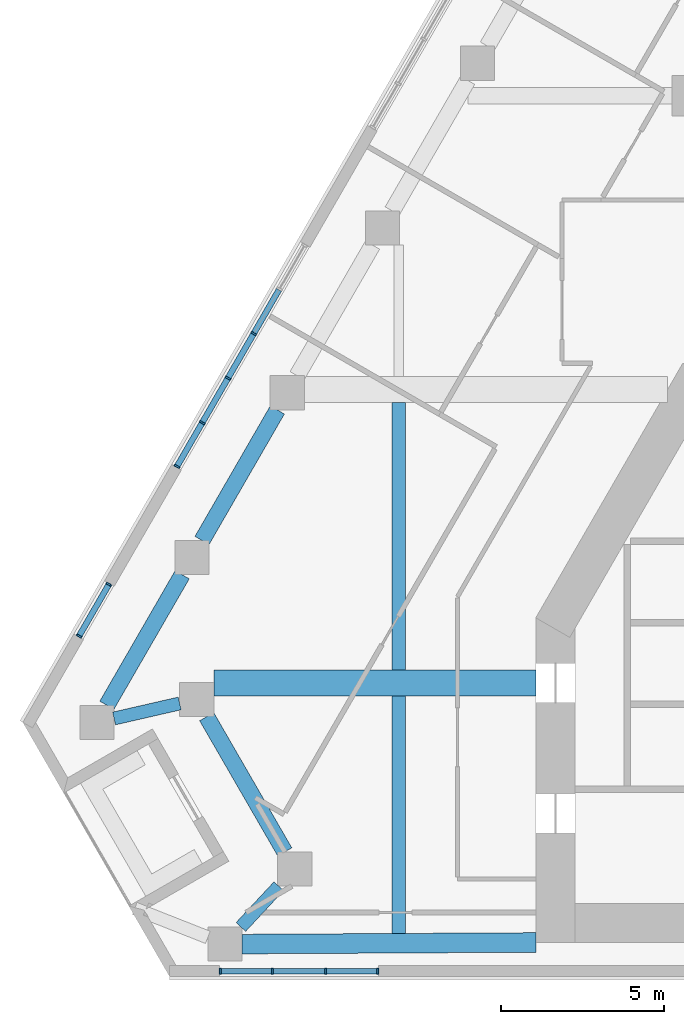
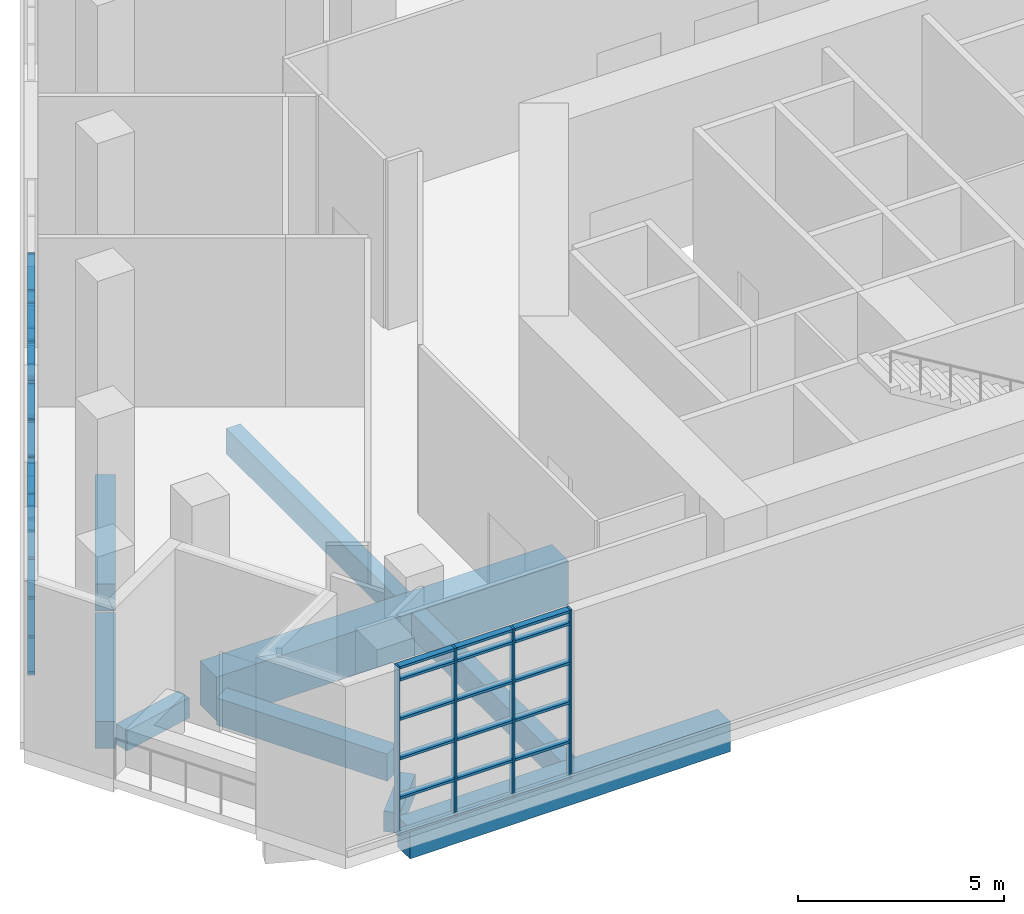
# One storey, part 2 of 18: 54 members, 9 beams, 3 elements without a shape of their own.
"""IFC4 building model written with IfcOpenShell, lengths in metres."""

from ifc_helpers import new_model, si_unit, direction, frame, origin, origin_2d, place, context, subcontext, project, spatial, rectangle, extrude, material, material_profile, profile_set, type_object, element, aggregate, save


model = new_model("IFC4")

# Units and contexts
model_context = context("Model", 3, precision=1e-05, world=origin(), true_north=direction((0.0, 1.0)))
body_context = subcontext(model_context, "Body", "Model", "MODEL_VIEW")
ifc_project = project(units=[si_unit("LENGTHUNIT", "METRE"), si_unit("AREAUNIT", "SQUARE_METRE"), si_unit("VOLUMEUNIT", "CUBIC_METRE"), si_unit("PLANEANGLEUNIT", "RADIAN"), si_unit("MASSUNIT", "GRAM", prefix="KILO")], contexts=[model_context])

# Site, building, storey
site_placement = place(None, origin())
site = spatial("IfcSite", under=ifc_project, at=site_placement, CompositionType="ELEMENT")
building_placement = place(site_placement, origin())
building = spatial("IfcBuilding", under=site, at=building_placement, Name="Fogline Exchange Tower", CompositionType="ELEMENT")
storey_placement = place(building_placement, frame((0.0, 0.0, 137.5)))
storey = spatial("IfcBuildingStorey", under=building, at=storey_placement, Name="L30", CompositionType="ELEMENT", Elevation=137.5)

# Beams
ifc_material_1 = material(Name="Concrete C40", Category="concrete")
ifc_material_profile_1 = material_profile(ifc_material_1, rectangle(XDim=0.800048828125, YDim=1.300048828125, at=origin_2d()), Name="RC 800x1300")
ifc_profile_set_1 = profile_set([ifc_material_profile_1], Name="Concrete C40")
beam_type_1 = type_object("IfcBeamType", Name="B04", PredefinedType="BEAM", material=ifc_profile_set_1)
beam_1_placement = place(storey_placement, frame((-23.66455078125, 9.0, -1.050048828125), z_axis=(1.0, 0.0, 0.0), x_axis=(0.0, 1.0, 0.0)))
element("IfcBeam", 1, at=beam_1_placement, inside=storey, type_object=beam_type_1, Name="GB001", PredefinedType="BEAM", context=body_context, shape_type="SweptSolid", body=[
    extrude(rectangle(XDim=0.800048828125, YDim=1.300048828125, at=origin_2d()), origin(), (0.0, 0.0, 1.0), 9.864501953125),
])
ifc_material_profile_2 = material_profile(ifc_material_1, rectangle(XDim=0.39990234375, YDim=0.75, at=origin_2d()), Name="RC 400x750")
ifc_profile_set_2 = profile_set([ifc_material_profile_2], Name="Concrete C40")
beam_type_2 = type_object("IfcBeamType", Name="B05", PredefinedType="BEAM", material=ifc_profile_set_2)
beam_2_placement = place(storey_placement, frame((-18.0, 1.327880859375, -0.77490234375), z_axis=(0.0, 1.0, 0.0), x_axis=(-1.0, 0.0, 0.0)))
element("IfcBeam", 2, at=beam_2_placement, inside=storey, type_object=beam_type_2, Name="SB001", PredefinedType="BEAM", context=body_context, shape_type="SweptSolid", body=[
    extrude(rectangle(XDim=0.39990234375, YDim=0.75, at=origin_2d()), origin(), (0.0, 0.0, 1.0), 7.272216796875),
])
beam_3_placement = place(storey_placement, frame((-18.0, 9.39990234375, -0.77490234375), z_axis=(0.0, 1.0, 0.0), x_axis=(-1.0, 0.0, 0.0)))
element("IfcBeam", 3, at=beam_3_placement, inside=storey, type_object=beam_type_2, Name="SB002", PredefinedType="BEAM", context=body_context, shape_type="SweptSolid", body=[
    extrude(rectangle(XDim=0.39990234375, YDim=0.75, at=origin_2d()), origin(), (0.0, 0.0, 1.0), 8.2001953125),
])
ifc_material_profile_3 = material_profile(ifc_material_1, rectangle(XDim=0.60009765625, YDim=0.89990234375, at=origin_2d()), Name="RC 600x900")
ifc_profile_set_3 = profile_set([ifc_material_profile_3], Name="Concrete C40")
beam_type_3 = type_object("IfcBeamType", Name="B09", PredefinedType="BEAM", material=ifc_profile_set_3)
beam_4_placement = place(storey_placement, frame((-22.801513671875, 1.0, -0.85009765625), z_axis=(0.999984543136, 0.005559990001, 0.0), x_axis=(-0.005559990001, 0.999984543136, 0.0)))
element("IfcBeam", 4, at=beam_4_placement, inside=storey, type_object=beam_type_3, Name="RB004", PredefinedType="BEAM", context=body_context, shape_type="SweptSolid", body=[
    extrude(rectangle(XDim=0.60009765625, YDim=0.89990234375, at=origin_2d()), origin(), (0.0, 0.0, 1.0), 9.001708984375),
])
ifc_material_profile_4 = material_profile(ifc_material_1, rectangle(XDim=0.5, YDim=0.800048828125, at=origin_2d()), Name="RC 500x800")
ifc_profile_set_4 = profile_set([ifc_material_profile_4], Name="Concrete C40")
beam_type_4 = type_object("IfcBeamType", Name="B10", PredefinedType="BEAM", material=ifc_profile_set_4)
beam_5_placement = place(storey_placement, frame((-23.886474609375, 7.97021484375, -0.800048828125), z_axis=(0.499994660107, -0.866028486751, 0.0), x_axis=(0.866028486751, 0.499994660107, 0.0)))
element("IfcBeam", 5, at=beam_5_placement, inside=storey, type_object=beam_type_4, Name="RB002", PredefinedType="BEAM", context=body_context, shape_type="SweptSolid", body=[
    extrude(rectangle(XDim=0.5, YDim=0.800048828125, at=origin_2d()), origin(), (0.0, 0.0, 1.0), 4.78759765625),
])
for number, where, z_axis, x_axis, name in (
    (6, (-21.720458984375, 17.369873046875, -0.800048828125), (-0.499981705991, -0.866035965578, 0.0), (0.866035965578, -0.499981705991, 0.0), "RB026"),
    (7, (-24.63623046875, 12.319580078125, -0.800048828125), (-0.499981705991, -0.866035965578, 0.0), (0.866035965578, -0.499981705991, 0.0), "RB027"),
):
    element("IfcBeam", number, at=place(storey_placement, frame(where, z_axis=z_axis, x_axis=x_axis)), inside=storey, type_object=beam_type_4, Name=name, PredefinedType="BEAM", context=body_context, shape_type="SweptSolid", body=[
        extrude(rectangle(XDim=0.5, YDim=0.800048828125, at=origin_2d()), origin(), (0.0, 0.0, 1.0), 4.619384765625),
    ])
ifc_material_profile_5 = material_profile(ifc_material_1, rectangle(XDim=0.39990234375, YDim=0.60009765625, at=origin_2d()), Name="RC 400x600")
ifc_profile_set_5 = profile_set([ifc_material_profile_5], Name="Concrete C40")
beam_type_5 = type_object("IfcBeamType", Name="B11", PredefinedType="BEAM", material=ifc_profile_set_5)
beam_6_placement = place(storey_placement, frame((-26.72412109375, 7.91455078125, -0.699951171875), z_axis=(0.974739301343, 0.223345683676, 0.0), x_axis=(-0.223345683676, 0.974739301343, 0.0)))
element("IfcBeam", 8, at=beam_6_placement, inside=storey, type_object=beam_type_5, Name="RB001", PredefinedType="BEAM", context=body_context, shape_type="SweptSolid", body=[
    extrude(rectangle(XDim=0.39990234375, YDim=0.60009765625, at=origin_2d()), origin(), (0.0, 0.0, 1.0), 2.0615234375),
])
beam_7_placement = place(storey_placement, frame((-21.677490234375, 2.77392578125, -0.699951171875), z_axis=(-0.680791505026, -0.732477253357, 0.0), x_axis=(0.732477253357, -0.680791505026, 0.0)))
element("IfcBeam", 9, at=beam_7_placement, inside=storey, type_object=beam_type_5, Name="RB003", PredefinedType="BEAM", context=body_context, shape_type="SweptSolid", body=[
    extrude(rectangle(XDim=0.39990234375, YDim=0.60009765625, at=origin_2d()), origin(), (0.0, 0.0, 1.0), 1.705322265625),
])

# Curtain wall, members
ifc_material_2 = material(Name="Aluminium and glass", Category="aluminium")
curtain_wall_type = type_object("IfcCurtainWallType", Name="CW4", PredefinedType="NOTDEFINED", material=ifc_material_2)
curtain_wall_1_placement = place(storey_placement, origin())
curtain_wall_1 = element("IfcCurtainWall", 10, at=curtain_wall_1_placement, inside=storey, type_object=curtain_wall_type, Name="CW4 L30 S run 1", PredefinedType="NOTDEFINED")
ifc_material_3 = material(Name="Aluminium", Category="aluminium")
ifc_material_profile_6 = material_profile(ifc_material_3, rectangle(XDim=0.179931640625, YDim=0.06005859375, at=origin_2d()), Name="Mullion 60x180")
ifc_profile_set_6 = profile_set([ifc_material_profile_6], Name="Aluminium")
member_type_1 = type_object("IfcMemberType", Name="CW4-M", PredefinedType="MULLION", material=ifc_profile_set_6)
member_1_placement = place(storey_placement, frame((-23.469970703125, 0.169921875, 0.0), z_axis=(0.0, 0.0, 1.0), x_axis=(0.0, 1.0, 0.0)))
member_1 = element("IfcMember", 11, at=member_1_placement, type_object=member_type_1, Name="CW4-T09-01 mullion 1", PredefinedType="MULLION", context=body_context, shape_type="SweptSolid", body=[
    extrude(rectangle(XDim=0.179931640625, YDim=0.06005859375, at=origin_2d()), origin(), (0.0, 0.0, 1.0), 5.0),
])
member_2_placement = place(storey_placement, frame((-21.87158203125, 0.169921875, 0.0), z_axis=(0.0, 0.0, 1.0), x_axis=(0.0, 1.0, 0.0)))
member_2 = element("IfcMember", 12, at=member_2_placement, type_object=member_type_1, Name="CW4-T09-01 mullion 2", PredefinedType="MULLION", context=body_context, shape_type="SweptSolid", body=[
    extrude(rectangle(XDim=0.179931640625, YDim=0.06005859375, at=origin_2d()), origin(), (0.0, 0.0, 1.0), 5.0),
])
member_3_placement = place(storey_placement, frame((-20.243408203125, 0.169921875, 0.0), z_axis=(0.0, 0.0, 1.0), x_axis=(0.0, 1.0, 0.0)))
member_3 = element("IfcMember", 13, at=member_3_placement, type_object=member_type_1, Name="CW4-T09-01 mullion 3", PredefinedType="MULLION", context=body_context, shape_type="SweptSolid", body=[
    extrude(rectangle(XDim=0.179931640625, YDim=0.06005859375, at=origin_2d()), origin(), (0.0, 0.0, 1.0), 5.0),
])
member_4_placement = place(storey_placement, frame((-18.64501953125, 0.169921875, 0.0), z_axis=(0.0, 0.0, 1.0), x_axis=(0.0, 1.0, 0.0)))
member_4 = element("IfcMember", 14, at=member_4_placement, type_object=member_type_1, Name="CW4-T09-01 mullion 4", PredefinedType="MULLION", context=body_context, shape_type="SweptSolid", body=[
    extrude(rectangle(XDim=0.179931640625, YDim=0.06005859375, at=origin_2d()), origin(), (0.0, 0.0, 1.0), 5.0),
])

curtain_wall_2_placement = place(storey_placement, origin())
curtain_wall_2 = element("IfcCurtainWall", 15, at=curtain_wall_2_placement, inside=storey, type_object=curtain_wall_type, Name="CW4 L30 W run 4", PredefinedType="NOTDEFINED")
member_5_placement = place(storey_placement, frame((-22.4453125, 19.709228515625, 0.0), z_axis=(0.0, 0.0, 1.0), x_axis=(0.866025393993, -0.500000016959, 0.0)))
member_5 = element("IfcMember", 16, at=member_5_placement, type_object=member_type_1, Name="CW4-T09-11 mullion 3", PredefinedType="MULLION", context=body_context, shape_type="SweptSolid", body=[
    extrude(rectangle(XDim=0.179931640625, YDim=0.06005859375, at=origin_2d()), origin(), (0.0, 0.0, 1.0), 5.0),
])
member_6_placement = place(storey_placement, frame((-23.23388671875, 18.343505859375, 0.0), z_axis=(0.0, 0.0, 1.0), x_axis=(0.866025393993, -0.500000016959, 0.0)))
member_6 = element("IfcMember", 17, at=member_6_placement, type_object=member_type_1, Name="CW4-T09-11 mullion 4", PredefinedType="MULLION", context=body_context, shape_type="SweptSolid", body=[
    extrude(rectangle(XDim=0.179931640625, YDim=0.06005859375, at=origin_2d()), origin(), (0.0, 0.0, 1.0), 5.0),
])
member_7_placement = place(storey_placement, frame((-24.0224609375, 16.977783203125, 0.0), z_axis=(0.0, 0.0, 1.0), x_axis=(0.866025393993, -0.500000016959, 0.0)))
member_7 = element("IfcMember", 18, at=member_7_placement, type_object=member_type_1, Name="CW4-T09-11 mullion 5", PredefinedType="MULLION", context=body_context, shape_type="SweptSolid", body=[
    extrude(rectangle(XDim=0.179931640625, YDim=0.06005859375, at=origin_2d()), origin(), (0.0, 0.0, 1.0), 5.0),
])
member_8_placement = place(storey_placement, frame((-24.7958984375, 15.63818359375, 0.0), z_axis=(0.0, 0.0, 1.0), x_axis=(0.866025393993, -0.500000016959, 0.0)))
member_8 = element("IfcMember", 19, at=member_8_placement, type_object=member_type_1, Name="CW4-T09-11 mullion 6", PredefinedType="MULLION", context=body_context, shape_type="SweptSolid", body=[
    extrude(rectangle(XDim=0.179931640625, YDim=0.06005859375, at=origin_2d()), origin(), (0.0, 0.0, 1.0), 5.0),
])

curtain_wall_3_placement = place(storey_placement, origin())
curtain_wall_3 = element("IfcCurtainWall", 20, at=curtain_wall_3_placement, inside=storey, type_object=curtain_wall_type, Name="CW4 L30 W run 5", PredefinedType="NOTDEFINED")
member_9_placement = place(storey_placement, frame((-26.883544921875, 12.0224609375, 0.0), z_axis=(0.0, 0.0, 1.0), x_axis=(0.866024357877, -0.500001811561, 0.0)))
member_9 = element("IfcMember", 21, at=member_9_placement, type_object=member_type_1, Name="CW4-T09-12 mullion 1", PredefinedType="MULLION", context=body_context, shape_type="SweptSolid", body=[
    extrude(rectangle(XDim=0.179931640625, YDim=0.06005859375, at=origin_2d()), origin(), (0.0, 0.0, 1.0), 5.0),
])
member_10_placement = place(storey_placement, frame((-27.7958984375, 10.44189453125, 0.0), z_axis=(0.0, 0.0, 1.0), x_axis=(0.866024357877, -0.500001811561, 0.0)))
member_10 = element("IfcMember", 22, at=member_10_placement, type_object=member_type_1, Name="CW4-T09-12 mullion 2", PredefinedType="MULLION", context=body_context, shape_type="SweptSolid", body=[
    extrude(rectangle(XDim=0.179931640625, YDim=0.06005859375, at=origin_2d()), origin(), (0.0, 0.0, 1.0), 5.0),
])

# Member
ifc_material_profile_7 = material_profile(ifc_material_3, rectangle(XDim=0.179931640625, YDim=0.074951171875, at=origin_2d()), Name="Transom 75x180")
ifc_profile_set_7 = profile_set([ifc_material_profile_7], Name="Aluminium")
member_type_2 = type_object("IfcMemberType", Name="CW4-T", PredefinedType="USERDEFINED", material=ifc_profile_set_7)
member_11_placement = place(storey_placement, frame((-23.43994140625, 0.169921875, 0.03759765625), z_axis=(1.0, 0.0, 0.0), x_axis=(0.0, 1.0, 0.0)))
member_11 = element("IfcMember", 23, at=member_11_placement, type_object=member_type_2, Name="CW4-T09-01 transom 1.1", ObjectType="TRANSOM", PredefinedType="USERDEFINED", context=body_context, shape_type="SweptSolid", body=[
    extrude(rectangle(XDim=0.179931640625, YDim=0.074951171875, at=origin_2d()), origin(), (0.0, 0.0, 1.0), 1.538330078125),
])

member_12_placement = place(storey_placement, frame((-23.43994140625, 0.169921875, 1.10009765625), z_axis=(1.0, 0.0, 0.0), x_axis=(0.0, 1.0, 0.0)))
member_12 = element("IfcMember", 24, at=member_12_placement, type_object=member_type_2, Name="CW4-T09-01 transom 1.2", ObjectType="TRANSOM", PredefinedType="USERDEFINED", context=body_context, shape_type="SweptSolid", body=[
    extrude(rectangle(XDim=0.179931640625, YDim=0.074951171875, at=origin_2d()), origin(), (0.0, 0.0, 1.0), 1.538330078125),
])

member_13_placement = place(storey_placement, frame((-23.43994140625, 0.169921875, 2.2666015625), z_axis=(1.0, 0.0, 0.0), x_axis=(0.0, 1.0, 0.0)))
member_13 = element("IfcMember", 25, at=member_13_placement, type_object=member_type_2, Name="CW4-T09-01 transom 1.3", ObjectType="TRANSOM", PredefinedType="USERDEFINED", context=body_context, shape_type="SweptSolid", body=[
    extrude(rectangle(XDim=0.179931640625, YDim=0.074951171875, at=origin_2d()), origin(), (0.0, 0.0, 1.0), 1.538330078125),
])

member_14_placement = place(storey_placement, frame((-23.43994140625, 0.169921875, 3.433349609375), z_axis=(1.0, 0.0, 0.0), x_axis=(0.0, 1.0, 0.0)))
member_14 = element("IfcMember", 26, at=member_14_placement, type_object=member_type_2, Name="CW4-T09-01 transom 1.4", ObjectType="TRANSOM", PredefinedType="USERDEFINED", context=body_context, shape_type="SweptSolid", body=[
    extrude(rectangle(XDim=0.179931640625, YDim=0.074951171875, at=origin_2d()), origin(), (0.0, 0.0, 1.0), 1.538330078125),
])

member_15_placement = place(storey_placement, frame((-23.43994140625, 0.169921875, 4.60009765625), z_axis=(1.0, 0.0, 0.0), x_axis=(0.0, 1.0, 0.0)))
member_15 = element("IfcMember", 27, at=member_15_placement, type_object=member_type_2, Name="CW4-T09-01 transom 1.5", ObjectType="TRANSOM", PredefinedType="USERDEFINED", context=body_context, shape_type="SweptSolid", body=[
    extrude(rectangle(XDim=0.179931640625, YDim=0.074951171875, at=origin_2d()), origin(), (0.0, 0.0, 1.0), 1.538330078125),
])

member_16_placement = place(storey_placement, frame((-23.43994140625, 0.169921875, 4.96240234375), z_axis=(1.0, 0.0, 0.0), x_axis=(0.0, 1.0, 0.0)))
member_16 = element("IfcMember", 28, at=member_16_placement, type_object=member_type_2, Name="CW4-T09-01 transom 1.6", ObjectType="TRANSOM", PredefinedType="USERDEFINED", context=body_context, shape_type="SweptSolid", body=[
    extrude(rectangle(XDim=0.179931640625, YDim=0.074951171875, at=origin_2d()), origin(), (0.0, 0.0, 1.0), 1.538330078125),
])

member_17_placement = place(storey_placement, frame((-21.841552734375, 0.169921875, 0.03759765625), z_axis=(1.0, 0.0, 0.0), x_axis=(0.0, 1.0, 0.0)))
member_17 = element("IfcMember", 29, at=member_17_placement, type_object=member_type_2, Name="CW4-T09-01 transom 2.1", ObjectType="TRANSOM", PredefinedType="USERDEFINED", context=body_context, shape_type="SweptSolid", body=[
    extrude(rectangle(XDim=0.179931640625, YDim=0.074951171875, at=origin_2d()), origin(), (0.0, 0.0, 1.0), 1.568115234375),
])

member_18_placement = place(storey_placement, frame((-21.841552734375, 0.169921875, 1.10009765625), z_axis=(1.0, 0.0, 0.0), x_axis=(0.0, 1.0, 0.0)))
member_18 = element("IfcMember", 30, at=member_18_placement, type_object=member_type_2, Name="CW4-T09-01 transom 2.2", ObjectType="TRANSOM", PredefinedType="USERDEFINED", context=body_context, shape_type="SweptSolid", body=[
    extrude(rectangle(XDim=0.179931640625, YDim=0.074951171875, at=origin_2d()), origin(), (0.0, 0.0, 1.0), 1.568115234375),
])

member_19_placement = place(storey_placement, frame((-21.841552734375, 0.169921875, 2.2666015625), z_axis=(1.0, 0.0, 0.0), x_axis=(0.0, 1.0, 0.0)))
member_19 = element("IfcMember", 31, at=member_19_placement, type_object=member_type_2, Name="CW4-T09-01 transom 2.3", ObjectType="TRANSOM", PredefinedType="USERDEFINED", context=body_context, shape_type="SweptSolid", body=[
    extrude(rectangle(XDim=0.179931640625, YDim=0.074951171875, at=origin_2d()), origin(), (0.0, 0.0, 1.0), 1.568115234375),
])

member_20_placement = place(storey_placement, frame((-21.841552734375, 0.169921875, 3.433349609375), z_axis=(1.0, 0.0, 0.0), x_axis=(0.0, 1.0, 0.0)))
member_20 = element("IfcMember", 32, at=member_20_placement, type_object=member_type_2, Name="CW4-T09-01 transom 2.4", ObjectType="TRANSOM", PredefinedType="USERDEFINED", context=body_context, shape_type="SweptSolid", body=[
    extrude(rectangle(XDim=0.179931640625, YDim=0.074951171875, at=origin_2d()), origin(), (0.0, 0.0, 1.0), 1.568115234375),
])

member_21_placement = place(storey_placement, frame((-21.841552734375, 0.169921875, 4.60009765625), z_axis=(1.0, 0.0, 0.0), x_axis=(0.0, 1.0, 0.0)))
member_21 = element("IfcMember", 33, at=member_21_placement, type_object=member_type_2, Name="CW4-T09-01 transom 2.5", ObjectType="TRANSOM", PredefinedType="USERDEFINED", context=body_context, shape_type="SweptSolid", body=[
    extrude(rectangle(XDim=0.179931640625, YDim=0.074951171875, at=origin_2d()), origin(), (0.0, 0.0, 1.0), 1.568115234375),
])

member_22_placement = place(storey_placement, frame((-21.841552734375, 0.169921875, 4.96240234375), z_axis=(1.0, 0.0, 0.0), x_axis=(0.0, 1.0, 0.0)))
member_22 = element("IfcMember", 34, at=member_22_placement, type_object=member_type_2, Name="CW4-T09-01 transom 2.6", ObjectType="TRANSOM", PredefinedType="USERDEFINED", context=body_context, shape_type="SweptSolid", body=[
    extrude(rectangle(XDim=0.179931640625, YDim=0.074951171875, at=origin_2d()), origin(), (0.0, 0.0, 1.0), 1.568115234375),
])

member_23_placement = place(storey_placement, frame((-20.21337890625, 0.169921875, 0.03759765625), z_axis=(1.0, 0.0, 0.0), x_axis=(0.0, 1.0, 0.0)))
member_23 = element("IfcMember", 35, at=member_23_placement, type_object=member_type_2, Name="CW4-T09-01 transom 3.1", ObjectType="TRANSOM", PredefinedType="USERDEFINED", context=body_context, shape_type="SweptSolid", body=[
    extrude(rectangle(XDim=0.179931640625, YDim=0.074951171875, at=origin_2d()), origin(), (0.0, 0.0, 1.0), 1.538330078125),
])

member_24_placement = place(storey_placement, frame((-20.21337890625, 0.169921875, 1.10009765625), z_axis=(1.0, 0.0, 0.0), x_axis=(0.0, 1.0, 0.0)))
member_24 = element("IfcMember", 36, at=member_24_placement, type_object=member_type_2, Name="CW4-T09-01 transom 3.2", ObjectType="TRANSOM", PredefinedType="USERDEFINED", context=body_context, shape_type="SweptSolid", body=[
    extrude(rectangle(XDim=0.179931640625, YDim=0.074951171875, at=origin_2d()), origin(), (0.0, 0.0, 1.0), 1.538330078125),
])

member_25_placement = place(storey_placement, frame((-20.21337890625, 0.169921875, 2.2666015625), z_axis=(1.0, 0.0, 0.0), x_axis=(0.0, 1.0, 0.0)))
member_25 = element("IfcMember", 37, at=member_25_placement, type_object=member_type_2, Name="CW4-T09-01 transom 3.3", ObjectType="TRANSOM", PredefinedType="USERDEFINED", context=body_context, shape_type="SweptSolid", body=[
    extrude(rectangle(XDim=0.179931640625, YDim=0.074951171875, at=origin_2d()), origin(), (0.0, 0.0, 1.0), 1.538330078125),
])

member_26_placement = place(storey_placement, frame((-20.21337890625, 0.169921875, 3.433349609375), z_axis=(1.0, 0.0, 0.0), x_axis=(0.0, 1.0, 0.0)))
member_26 = element("IfcMember", 38, at=member_26_placement, type_object=member_type_2, Name="CW4-T09-01 transom 3.4", ObjectType="TRANSOM", PredefinedType="USERDEFINED", context=body_context, shape_type="SweptSolid", body=[
    extrude(rectangle(XDim=0.179931640625, YDim=0.074951171875, at=origin_2d()), origin(), (0.0, 0.0, 1.0), 1.538330078125),
])

member_27_placement = place(storey_placement, frame((-20.21337890625, 0.169921875, 4.60009765625), z_axis=(1.0, 0.0, 0.0), x_axis=(0.0, 1.0, 0.0)))
member_27 = element("IfcMember", 39, at=member_27_placement, type_object=member_type_2, Name="CW4-T09-01 transom 3.5", ObjectType="TRANSOM", PredefinedType="USERDEFINED", context=body_context, shape_type="SweptSolid", body=[
    extrude(rectangle(XDim=0.179931640625, YDim=0.074951171875, at=origin_2d()), origin(), (0.0, 0.0, 1.0), 1.538330078125),
])

member_28_placement = place(storey_placement, frame((-20.21337890625, 0.169921875, 4.96240234375), z_axis=(1.0, 0.0, 0.0), x_axis=(0.0, 1.0, 0.0)))
member_28 = element("IfcMember", 40, at=member_28_placement, type_object=member_type_2, Name="CW4-T09-01 transom 3.6", ObjectType="TRANSOM", PredefinedType="USERDEFINED", context=body_context, shape_type="SweptSolid", body=[
    extrude(rectangle(XDim=0.179931640625, YDim=0.074951171875, at=origin_2d()), origin(), (0.0, 0.0, 1.0), 1.538330078125),
])

aggregate(curtain_wall_1, [member_1, member_2, member_3, member_4, member_11, member_12, member_13, member_14, member_15, member_16, member_17, member_18, member_19, member_20, member_21, member_22, member_23, member_24, member_25, member_26, member_27, member_28])

member_29_placement = place(storey_placement, frame((-21.671875, 21.049072265625, 0.03759765625), z_axis=(-0.500033579465, -0.866006015803, 0.0), x_axis=(0.866006015803, -0.500033579465, 0.0)))
member_29 = element("IfcMember", 41, at=member_29_placement, type_object=member_type_2, Name="CW4-T09-11 transom 2.1", ObjectType="TRANSOM", PredefinedType="USERDEFINED", context=body_context, shape_type="SweptSolid", body=[
    extrude(rectangle(XDim=0.179931640625, YDim=0.074951171875, at=origin_2d()), origin(), (0.0, 0.0, 1.0), 1.51708984375),
])

member_30_placement = place(storey_placement, frame((-21.671875, 21.049072265625, 1.10009765625), z_axis=(-0.500033579465, -0.866006015803, 0.0), x_axis=(0.866006015803, -0.500033579465, 0.0)))
member_30 = element("IfcMember", 42, at=member_30_placement, type_object=member_type_2, Name="CW4-T09-11 transom 2.2", ObjectType="TRANSOM", PredefinedType="USERDEFINED", context=body_context, shape_type="SweptSolid", body=[
    extrude(rectangle(XDim=0.179931640625, YDim=0.074951171875, at=origin_2d()), origin(), (0.0, 0.0, 1.0), 1.51708984375),
])

member_31_placement = place(storey_placement, frame((-22.46044921875, 19.683349609375, 0.03759765625), z_axis=(-0.500033579465, -0.866006015803, 0.0), x_axis=(0.866006015803, -0.500033579465, 0.0)))
member_31 = element("IfcMember", 43, at=member_31_placement, type_object=member_type_2, Name="CW4-T09-11 transom 3.1", ObjectType="TRANSOM", PredefinedType="USERDEFINED", context=body_context, shape_type="SweptSolid", body=[
    extrude(rectangle(XDim=0.179931640625, YDim=0.074951171875, at=origin_2d()), origin(), (0.0, 0.0, 1.0), 1.51708984375),
])

member_32_placement = place(storey_placement, frame((-22.46044921875, 19.683349609375, 1.10009765625), z_axis=(-0.500033579465, -0.866006015803, 0.0), x_axis=(0.866006015803, -0.500033579465, 0.0)))
member_32 = element("IfcMember", 44, at=member_32_placement, type_object=member_type_2, Name="CW4-T09-11 transom 3.2", ObjectType="TRANSOM", PredefinedType="USERDEFINED", context=body_context, shape_type="SweptSolid", body=[
    extrude(rectangle(XDim=0.179931640625, YDim=0.074951171875, at=origin_2d()), origin(), (0.0, 0.0, 1.0), 1.51708984375),
])

member_33_placement = place(storey_placement, frame((-22.46044921875, 19.683349609375, 2.2666015625), z_axis=(-0.500033579465, -0.866006015803, 0.0), x_axis=(0.866006015803, -0.500033579465, 0.0)))
member_33 = element("IfcMember", 45, at=member_33_placement, type_object=member_type_2, Name="CW4-T09-11 transom 3.3", ObjectType="TRANSOM", PredefinedType="USERDEFINED", context=body_context, shape_type="SweptSolid", body=[
    extrude(rectangle(XDim=0.179931640625, YDim=0.074951171875, at=origin_2d()), origin(), (0.0, 0.0, 1.0), 1.51708984375),
])

member_34_placement = place(storey_placement, frame((-22.46044921875, 19.683349609375, 3.433349609375), z_axis=(-0.500033579465, -0.866006015803, 0.0), x_axis=(0.866006015803, -0.500033579465, 0.0)))
member_34 = element("IfcMember", 46, at=member_34_placement, type_object=member_type_2, Name="CW4-T09-11 transom 3.4", ObjectType="TRANSOM", PredefinedType="USERDEFINED", context=body_context, shape_type="SweptSolid", body=[
    extrude(rectangle(XDim=0.179931640625, YDim=0.074951171875, at=origin_2d()), origin(), (0.0, 0.0, 1.0), 1.51708984375),
])

member_35_placement = place(storey_placement, frame((-22.46044921875, 19.683349609375, 4.60009765625), z_axis=(-0.500033579465, -0.866006015803, 0.0), x_axis=(0.866006015803, -0.500033579465, 0.0)))
member_35 = element("IfcMember", 47, at=member_35_placement, type_object=member_type_2, Name="CW4-T09-11 transom 3.5", ObjectType="TRANSOM", PredefinedType="USERDEFINED", context=body_context, shape_type="SweptSolid", body=[
    extrude(rectangle(XDim=0.179931640625, YDim=0.074951171875, at=origin_2d()), origin(), (0.0, 0.0, 1.0), 1.51708984375),
])

member_36_placement = place(storey_placement, frame((-22.46044921875, 19.683349609375, 4.96240234375), z_axis=(-0.500033579465, -0.866006015803, 0.0), x_axis=(0.866006015803, -0.500033579465, 0.0)))
member_36 = element("IfcMember", 48, at=member_36_placement, type_object=member_type_2, Name="CW4-T09-11 transom 3.6", ObjectType="TRANSOM", PredefinedType="USERDEFINED", context=body_context, shape_type="SweptSolid", body=[
    extrude(rectangle(XDim=0.179931640625, YDim=0.074951171875, at=origin_2d()), origin(), (0.0, 0.0, 1.0), 1.51708984375),
])

member_37_placement = place(storey_placement, frame((-23.2490234375, 18.317626953125, 0.03759765625), z_axis=(-0.499912866989, -0.866075704208, 0.0), x_axis=(0.866075704208, -0.499912866989, 0.0)))
member_37 = element("IfcMember", 49, at=member_37_placement, type_object=member_type_2, Name="CW4-T09-11 transom 4.1", ObjectType="TRANSOM", PredefinedType="USERDEFINED", context=body_context, shape_type="SweptSolid", body=[
    extrude(rectangle(XDim=0.179931640625, YDim=0.074951171875, at=origin_2d()), origin(), (0.0, 0.0, 1.0), 1.516845703125),
])

member_38_placement = place(storey_placement, frame((-23.2490234375, 18.317626953125, 1.10009765625), z_axis=(-0.499912866989, -0.866075704208, 0.0), x_axis=(0.866075704208, -0.499912866989, 0.0)))
member_38 = element("IfcMember", 50, at=member_38_placement, type_object=member_type_2, Name="CW4-T09-11 transom 4.2", ObjectType="TRANSOM", PredefinedType="USERDEFINED", context=body_context, shape_type="SweptSolid", body=[
    extrude(rectangle(XDim=0.179931640625, YDim=0.074951171875, at=origin_2d()), origin(), (0.0, 0.0, 1.0), 1.516845703125),
])

member_39_placement = place(storey_placement, frame((-23.2490234375, 18.317626953125, 2.2666015625), z_axis=(-0.499912866989, -0.866075704208, 0.0), x_axis=(0.866075704208, -0.499912866989, 0.0)))
member_39 = element("IfcMember", 51, at=member_39_placement, type_object=member_type_2, Name="CW4-T09-11 transom 4.3", ObjectType="TRANSOM", PredefinedType="USERDEFINED", context=body_context, shape_type="SweptSolid", body=[
    extrude(rectangle(XDim=0.179931640625, YDim=0.074951171875, at=origin_2d()), origin(), (0.0, 0.0, 1.0), 1.516845703125),
])

member_40_placement = place(storey_placement, frame((-23.2490234375, 18.317626953125, 3.433349609375), z_axis=(-0.499912866989, -0.866075704208, 0.0), x_axis=(0.866075704208, -0.499912866989, 0.0)))
member_40 = element("IfcMember", 52, at=member_40_placement, type_object=member_type_2, Name="CW4-T09-11 transom 4.4", ObjectType="TRANSOM", PredefinedType="USERDEFINED", context=body_context, shape_type="SweptSolid", body=[
    extrude(rectangle(XDim=0.179931640625, YDim=0.074951171875, at=origin_2d()), origin(), (0.0, 0.0, 1.0), 1.516845703125),
])

member_41_placement = place(storey_placement, frame((-23.2490234375, 18.317626953125, 4.60009765625), z_axis=(-0.499912866989, -0.866075704208, 0.0), x_axis=(0.866075704208, -0.499912866989, 0.0)))
member_41 = element("IfcMember", 53, at=member_41_placement, type_object=member_type_2, Name="CW4-T09-11 transom 4.5", ObjectType="TRANSOM", PredefinedType="USERDEFINED", context=body_context, shape_type="SweptSolid", body=[
    extrude(rectangle(XDim=0.179931640625, YDim=0.074951171875, at=origin_2d()), origin(), (0.0, 0.0, 1.0), 1.516845703125),
])

member_42_placement = place(storey_placement, frame((-23.2490234375, 18.317626953125, 4.96240234375), z_axis=(-0.499912866989, -0.866075704208, 0.0), x_axis=(0.866075704208, -0.499912866989, 0.0)))
member_42 = element("IfcMember", 54, at=member_42_placement, type_object=member_type_2, Name="CW4-T09-11 transom 4.6", ObjectType="TRANSOM", PredefinedType="USERDEFINED", context=body_context, shape_type="SweptSolid", body=[
    extrude(rectangle(XDim=0.179931640625, YDim=0.074951171875, at=origin_2d()), origin(), (0.0, 0.0, 1.0), 1.516845703125),
])

member_43_placement = place(storey_placement, frame((-24.037353515625, 16.951904296875, 0.03759765625), z_axis=(-0.500058770943, -0.865991469706, 0.0), x_axis=(0.865991469706, -0.500058770943, 0.0)))
member_43 = element("IfcMember", 55, at=member_43_placement, type_object=member_type_2, Name="CW4-T09-11 transom 5.1", ObjectType="TRANSOM", PredefinedType="USERDEFINED", context=body_context, shape_type="SweptSolid", body=[
    extrude(rectangle(XDim=0.179931640625, YDim=0.074951171875, at=origin_2d()), origin(), (0.0, 0.0, 1.0), 1.487060546875),
])

member_44_placement = place(storey_placement, frame((-24.037353515625, 16.951904296875, 1.10009765625), z_axis=(-0.500058770943, -0.865991469706, 0.0), x_axis=(0.865991469706, -0.500058770943, 0.0)))
member_44 = element("IfcMember", 56, at=member_44_placement, type_object=member_type_2, Name="CW4-T09-11 transom 5.2", ObjectType="TRANSOM", PredefinedType="USERDEFINED", context=body_context, shape_type="SweptSolid", body=[
    extrude(rectangle(XDim=0.179931640625, YDim=0.074951171875, at=origin_2d()), origin(), (0.0, 0.0, 1.0), 1.487060546875),
])

member_45_placement = place(storey_placement, frame((-24.037353515625, 16.951904296875, 2.2666015625), z_axis=(-0.500058770943, -0.865991469706, 0.0), x_axis=(0.865991469706, -0.500058770943, 0.0)))
member_45 = element("IfcMember", 57, at=member_45_placement, type_object=member_type_2, Name="CW4-T09-11 transom 5.3", ObjectType="TRANSOM", PredefinedType="USERDEFINED", context=body_context, shape_type="SweptSolid", body=[
    extrude(rectangle(XDim=0.179931640625, YDim=0.074951171875, at=origin_2d()), origin(), (0.0, 0.0, 1.0), 1.487060546875),
])

member_46_placement = place(storey_placement, frame((-24.037353515625, 16.951904296875, 3.433349609375), z_axis=(-0.500058770943, -0.865991469706, 0.0), x_axis=(0.865991469706, -0.500058770943, 0.0)))
member_46 = element("IfcMember", 58, at=member_46_placement, type_object=member_type_2, Name="CW4-T09-11 transom 5.4", ObjectType="TRANSOM", PredefinedType="USERDEFINED", context=body_context, shape_type="SweptSolid", body=[
    extrude(rectangle(XDim=0.179931640625, YDim=0.074951171875, at=origin_2d()), origin(), (0.0, 0.0, 1.0), 1.487060546875),
])

member_47_placement = place(storey_placement, frame((-24.037353515625, 16.951904296875, 4.60009765625), z_axis=(-0.500058770943, -0.865991469706, 0.0), x_axis=(0.865991469706, -0.500058770943, 0.0)))
member_47 = element("IfcMember", 59, at=member_47_placement, type_object=member_type_2, Name="CW4-T09-11 transom 5.5", ObjectType="TRANSOM", PredefinedType="USERDEFINED", context=body_context, shape_type="SweptSolid", body=[
    extrude(rectangle(XDim=0.179931640625, YDim=0.074951171875, at=origin_2d()), origin(), (0.0, 0.0, 1.0), 1.487060546875),
])

member_48_placement = place(storey_placement, frame((-24.037353515625, 16.951904296875, 4.96240234375), z_axis=(-0.500058770943, -0.865991469706, 0.0), x_axis=(0.865991469706, -0.500058770943, 0.0)))
member_48 = element("IfcMember", 60, at=member_48_placement, type_object=member_type_2, Name="CW4-T09-11 transom 5.6", ObjectType="TRANSOM", PredefinedType="USERDEFINED", context=body_context, shape_type="SweptSolid", body=[
    extrude(rectangle(XDim=0.179931640625, YDim=0.074951171875, at=origin_2d()), origin(), (0.0, 0.0, 1.0), 1.487060546875),
])

aggregate(curtain_wall_2, [member_5, member_6, member_7, member_8, member_29, member_30, member_31, member_32, member_33, member_34, member_35, member_36, member_37, member_38, member_39, member_40, member_41, member_42, member_43, member_44, member_45, member_46, member_47, member_48])

member_49_placement = place(storey_placement, frame((-26.8984375, 11.996337890625, 0.03759765625), z_axis=(-0.500081682786, -0.86597823907, 0.0), x_axis=(0.86597823907, -0.500081682786, 0.0)))
member_49 = element("IfcMember", 61, at=member_49_placement, type_object=member_type_2, Name="CW4-T09-12 transom 1.1", ObjectType="TRANSOM", PredefinedType="USERDEFINED", context=body_context, shape_type="SweptSolid", body=[
    extrude(rectangle(XDim=0.179931640625, YDim=0.074951171875, at=origin_2d()), origin(), (0.0, 0.0, 1.0), 1.764892578125),
])

member_50_placement = place(storey_placement, frame((-26.8984375, 11.996337890625, 1.10009765625), z_axis=(-0.500081682786, -0.86597823907, 0.0), x_axis=(0.86597823907, -0.500081682786, 0.0)))
member_50 = element("IfcMember", 62, at=member_50_placement, type_object=member_type_2, Name="CW4-T09-12 transom 1.2", ObjectType="TRANSOM", PredefinedType="USERDEFINED", context=body_context, shape_type="SweptSolid", body=[
    extrude(rectangle(XDim=0.179931640625, YDim=0.074951171875, at=origin_2d()), origin(), (0.0, 0.0, 1.0), 1.764892578125),
])

member_51_placement = place(storey_placement, frame((-26.8984375, 11.996337890625, 2.2666015625), z_axis=(-0.500081682786, -0.86597823907, 0.0), x_axis=(0.86597823907, -0.500081682786, 0.0)))
member_51 = element("IfcMember", 63, at=member_51_placement, type_object=member_type_2, Name="CW4-T09-12 transom 1.3", ObjectType="TRANSOM", PredefinedType="USERDEFINED", context=body_context, shape_type="SweptSolid", body=[
    extrude(rectangle(XDim=0.179931640625, YDim=0.074951171875, at=origin_2d()), origin(), (0.0, 0.0, 1.0), 1.764892578125),
])

member_52_placement = place(storey_placement, frame((-26.8984375, 11.996337890625, 3.433349609375), z_axis=(-0.500081682786, -0.86597823907, 0.0), x_axis=(0.86597823907, -0.500081682786, 0.0)))
member_52 = element("IfcMember", 64, at=member_52_placement, type_object=member_type_2, Name="CW4-T09-12 transom 1.4", ObjectType="TRANSOM", PredefinedType="USERDEFINED", context=body_context, shape_type="SweptSolid", body=[
    extrude(rectangle(XDim=0.179931640625, YDim=0.074951171875, at=origin_2d()), origin(), (0.0, 0.0, 1.0), 1.764892578125),
])

member_53_placement = place(storey_placement, frame((-26.8984375, 11.996337890625, 4.60009765625), z_axis=(-0.500081682786, -0.86597823907, 0.0), x_axis=(0.86597823907, -0.500081682786, 0.0)))
member_53 = element("IfcMember", 65, at=member_53_placement, type_object=member_type_2, Name="CW4-T09-12 transom 1.5", ObjectType="TRANSOM", PredefinedType="USERDEFINED", context=body_context, shape_type="SweptSolid", body=[
    extrude(rectangle(XDim=0.179931640625, YDim=0.074951171875, at=origin_2d()), origin(), (0.0, 0.0, 1.0), 1.764892578125),
])

member_54_placement = place(storey_placement, frame((-26.8984375, 11.996337890625, 4.96240234375), z_axis=(-0.500081682786, -0.86597823907, 0.0), x_axis=(0.86597823907, -0.500081682786, 0.0)))
member_54 = element("IfcMember", 66, at=member_54_placement, type_object=member_type_2, Name="CW4-T09-12 transom 1.6", ObjectType="TRANSOM", PredefinedType="USERDEFINED", context=body_context, shape_type="SweptSolid", body=[
    extrude(rectangle(XDim=0.179931640625, YDim=0.074951171875, at=origin_2d()), origin(), (0.0, 0.0, 1.0), 1.764892578125),
])

aggregate(curtain_wall_3, [member_9, member_10, member_49, member_50, member_51, member_52, member_53, member_54])

save(model, "model.ifc")
